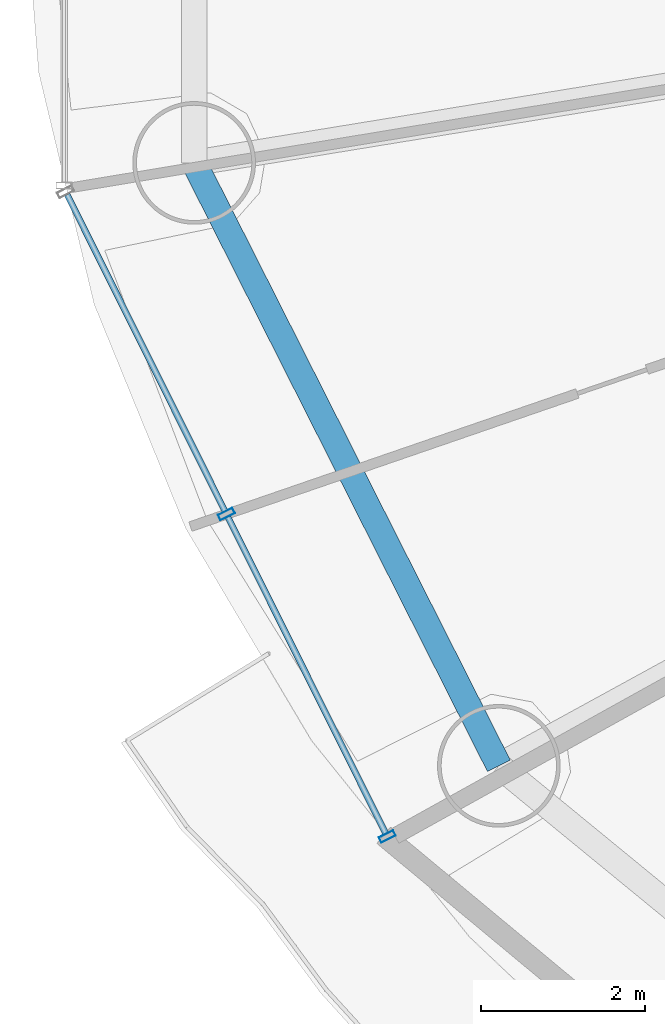
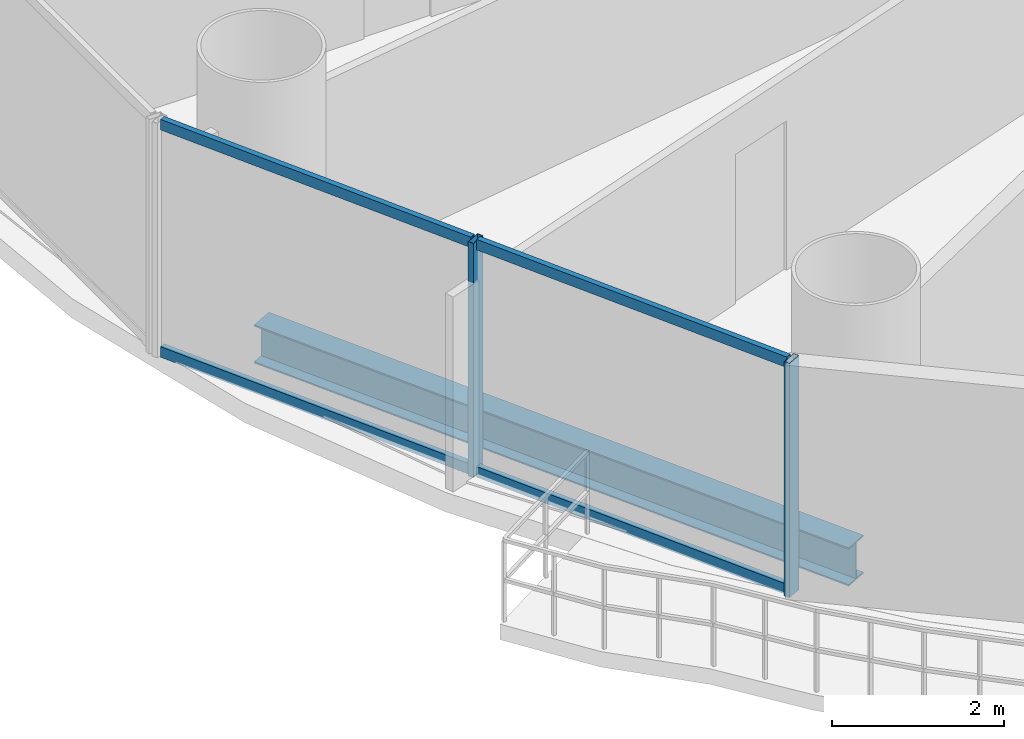
# One storey, part 2 of 28: 6 members, 1 beam, 1 element without a shape of its own.
"""IFC4 building model written with IfcOpenShell, lengths in metres."""

from ifc_helpers import new_model, si_unit, direction, frame, origin, origin_2d, place, context, subcontext, project, spatial, hollow_rectangle, i_section, extrude, source, transform, mapped, material, material_profile, profile_set, type_object, element, aggregate, save


model = new_model("IFC4")

# Units and contexts
model_context = context("Model", 3, precision=1e-05, world=origin(), true_north=direction((-0.2419218956, 0.970295726276)))
body_context = subcontext(model_context, "Body", "Model", "MODEL_VIEW")
ifc_project = project(units=[si_unit("LENGTHUNIT", "METRE"), si_unit("AREAUNIT", "SQUARE_METRE"), si_unit("VOLUMEUNIT", "CUBIC_METRE"), si_unit("PLANEANGLEUNIT", "RADIAN"), si_unit("MASSUNIT", "GRAM", prefix="KILO")], contexts=[model_context])

# Site, building, storey
site_placement = place(None, origin())
site = spatial("IfcSite", under=ifc_project, at=site_placement, CompositionType="ELEMENT")
building_placement = place(site_placement, origin())
building = spatial("IfcBuilding", under=site, at=building_placement, Name="Cobrevalo Terracotta Tower", CompositionType="ELEMENT")
storey_placement = place(building_placement, frame((0.0, 0.0, 108.60009765625)))
storey = spatial("IfcBuildingStorey", under=building, at=storey_placement, Name="L28", CompositionType="ELEMENT", Elevation=108.60009765625)

# Beam
ifc_material_1 = material(Name="Steel S355", Category="steel")
ifc_material_profile_1 = material_profile(ifc_material_1, i_section(OverallWidth=0.31201171875, OverallDepth=0.54296875, WebThickness=0.0126953125, FlangeThickness=0.020263671875, at=origin_2d()), Name="W 530x150")
ifc_profile_set_1 = profile_set([ifc_material_profile_1], Name="Steel S355")
beam_type = type_object("IfcBeamType", Name="Structural Spandrel W 530x150 (Steel S355)", PredefinedType="SPANDREL", material=ifc_profile_set_1)
beam_placement = place(storey_placement, frame((13.529296875, 22.810302734375, -0.546630859375), z_axis=(0.451051982172, -0.892497680321, 0.0), x_axis=(0.892497680321, 0.451051982172, 0.0)))
element("IfcBeam", 1, at=beam_placement, inside=storey, type_object=beam_type, Name="L28 perimeter ring spandrel 09", PredefinedType="SPANDREL", context=body_context, shape_type="SweptSolid", body=[
    extrude(i_section(OverallWidth=0.31201171875, OverallDepth=0.54296875, WebThickness=0.0126953125, FlangeThickness=0.020263671875, at=origin_2d()), origin(), (0.0, 0.0, 1.0), 8.259765625),
])

# Curtain wall, members
ifc_material_2 = material(Name="Anodized aluminium", Category="aluminium")
curtain_wall_type = type_object("IfcCurtainWallType", Name="Lower-tower unitised acoustic low-E curtain wall CW-U1", PredefinedType="NOTDEFINED", material=ifc_material_2)
curtain_wall_placement = place(storey_placement, origin())
curtain_wall = element("IfcCurtainWall", 2, at=curtain_wall_placement, inside=storey, type_object=curtain_wall_type, Name="L28 curtain wall CW-L28-S09", PredefinedType="NOTDEFINED")
ifc_material_profile_2 = material_profile(ifc_material_2, hollow_rectangle(XDim=0.074951171875, YDim=0.199951171875, WallThickness=0.0048828125, at=origin_2d()), Name="CWM 75x200")
ifc_profile_set_2 = profile_set([ifc_material_profile_2], Name="Anodized aluminium")
member_type_1 = type_object("IfcMemberType", Name="Lower/mid tower unitised mullion 75x200", PredefinedType="MULLION", material=ifc_profile_set_2)
shared_shape_1 = source(origin(), body_context, "Body", "SweptSolid", [
    extrude(hollow_rectangle(XDim=0.074951171875, YDim=0.199951171875, WallThickness=0.0048828125, at=origin_2d()), origin(), (0.0, 0.0, 1.0), 3.324951171875),
])
member_1_placement = place(storey_placement, frame((13.924072265625, 18.516357421875, 0.0), z_axis=(0.0, 0.0, 1.0), x_axis=(0.446260290227, -0.894903208937, 0.0)))
member_1 = element("IfcMember", 3, at=member_1_placement, type_object=member_type_1, Name="CW-L28-S09 vertical mullion 02", PredefinedType="MULLION", context=body_context, shape_type="MappedRepresentation", body=[
    mapped(shared_shape_1, transform((0.0, 0.0, 0.0), scale=1.0)),
])
member_2_placement = place(storey_placement, frame((15.889892578125, 14.574462890625, 0.0), z_axis=(0.0, 0.0, 1.0), x_axis=(0.446260290227, -0.894903208937, 0.0)))
member_2 = element("IfcMember", 4, at=member_2_placement, type_object=member_type_1, Name="CW-L28-S09 vertical mullion 03", PredefinedType="MULLION", context=body_context, shape_type="MappedRepresentation", body=[
    mapped(shared_shape_1, transform((0.0, 0.0, 0.0), scale=1.0)),
])
ifc_material_profile_3 = material_profile(ifc_material_2, hollow_rectangle(XDim=0.074951171875, YDim=0.14990234375, WallThickness=0.00439453125, at=origin_2d()), Name="CWT 75x150")
ifc_profile_set_3 = profile_set([ifc_material_profile_3], Name="Anodized aluminium")
member_type_2 = type_object("IfcMemberType", Name="Tower unitised aluminium transom 75x150", PredefinedType="USERDEFINED", material=ifc_profile_set_3)
shared_shape_2 = source(origin(), body_context, "Body", "SweptSolid", [
    extrude(hollow_rectangle(XDim=0.074951171875, YDim=0.14990234375, WallThickness=0.00439453125, at=origin_2d()), origin(), (0.0, 0.0, 1.0), 4.324951171875),
])
member_3_placement = place(storey_placement, frame((11.976318359375, 22.4228515625, 0.0498046875), z_axis=(0.446219838389, -0.894923379864, 0.0), x_axis=(0.894923379864, 0.446219838389, 0.0)))
member_3 = element("IfcMember", 5, at=member_3_placement, type_object=member_type_2, Name="CW-L28-S09 transom B01-T1", ObjectType="TRANSOM", PredefinedType="USERDEFINED", context=body_context, shape_type="MappedRepresentation", body=[
    mapped(shared_shape_2, transform((0.0, 0.0, 0.0), scale=1.0)),
])
member_4_placement = place(storey_placement, frame((11.976318359375, 22.4228515625, 3.27490234375), z_axis=(0.446219838389, -0.894923379864, 0.0), x_axis=(0.894923379864, 0.446219838389, 0.0)))
member_4 = element("IfcMember", 6, at=member_4_placement, type_object=member_type_2, Name="CW-L28-S09 transom B01-T2", ObjectType="TRANSOM", PredefinedType="USERDEFINED", context=body_context, shape_type="MappedRepresentation", body=[
    mapped(shared_shape_2, transform((0.0, 0.0, 0.0), scale=1.0)),
])
member_5_placement = place(storey_placement, frame((13.942138671875, 18.480712890625, 0.0498046875), z_axis=(0.446219838389, -0.894923379864, 0.0), x_axis=(0.894923379864, 0.446219838389, 0.0)))
member_5 = element("IfcMember", 7, at=member_5_placement, type_object=member_type_2, Name="CW-L28-S09 transom B02-T1", ObjectType="TRANSOM", PredefinedType="USERDEFINED", context=body_context, shape_type="MappedRepresentation", body=[
    mapped(shared_shape_2, transform((0.0, 0.0, 0.0), scale=1.0)),
])
member_6_placement = place(storey_placement, frame((13.942138671875, 18.480712890625, 3.27490234375), z_axis=(0.446219838389, -0.894923379864, 0.0), x_axis=(0.894923379864, 0.446219838389, 0.0)))
member_6 = element("IfcMember", 8, at=member_6_placement, type_object=member_type_2, Name="CW-L28-S09 transom B02-T2", ObjectType="TRANSOM", PredefinedType="USERDEFINED", context=body_context, shape_type="MappedRepresentation", body=[
    mapped(shared_shape_2, transform((0.0, 0.0, 0.0), scale=1.0)),
])
aggregate(curtain_wall, [member_1, member_2, member_3, member_4, member_5, member_6])

save(model, "model.ifc")
